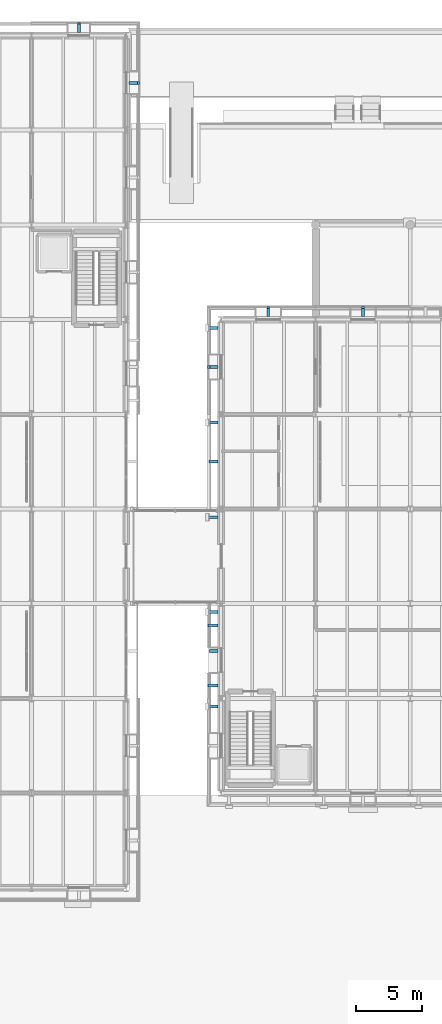
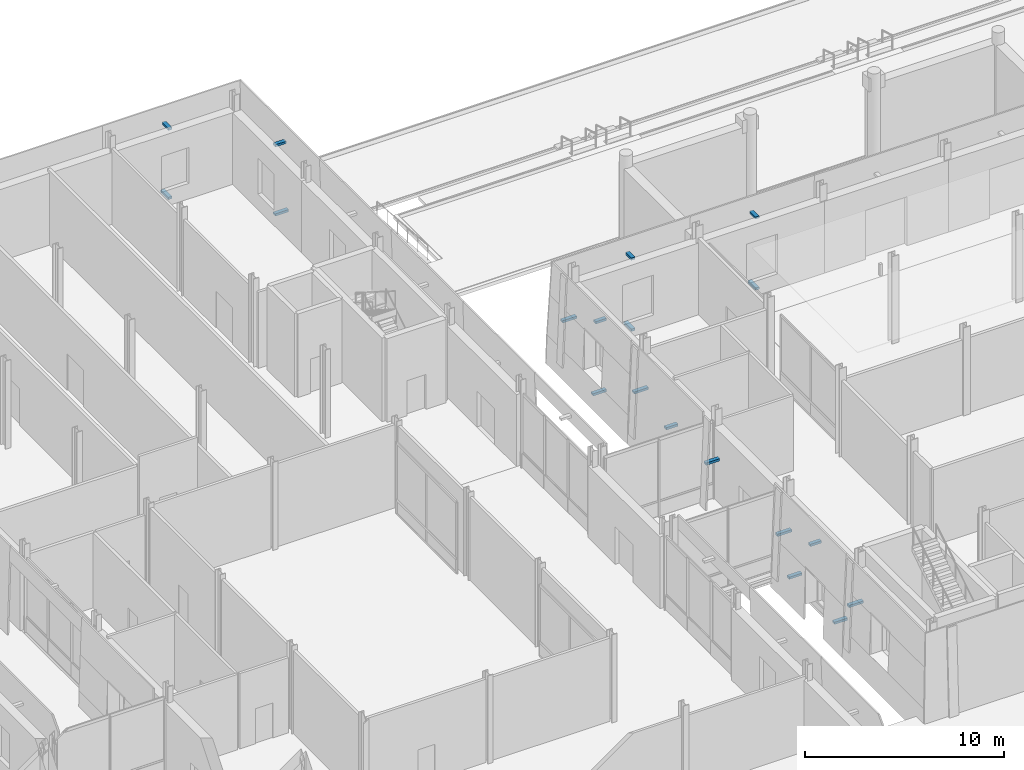
# One storey, part 91 of 120: 19 discrete accessories.
"""IFC4 building model written with IfcOpenShell, lengths in metres."""

from ifc_helpers import new_model, si_unit, direction, frame, origin, origin_2d, place, context, subcontext, project, spatial, rectangle, extrude, material, layer, layer_set, type_object, element, save


model = new_model("IFC4")

# Units and contexts
model_context = context("Model", 3, precision=1e-05, world=origin(), true_north=direction((0.0, 1.0)))
body_context = subcontext(model_context, "Body", "Model", "MODEL_VIEW")
ifc_project = project(units=[si_unit("LENGTHUNIT", "METRE"), si_unit("AREAUNIT", "SQUARE_METRE"), si_unit("VOLUMEUNIT", "CUBIC_METRE"), si_unit("PLANEANGLEUNIT", "RADIAN"), si_unit("MASSUNIT", "GRAM", prefix="KILO")], contexts=[model_context])

# Site, building, storey
site_placement = place(None, origin())
site = spatial("IfcSite", under=ifc_project, at=site_placement, CompositionType="ELEMENT")
building_placement = place(site_placement, origin())
building = spatial("IfcBuilding", under=site, at=building_placement, Name="Narikvali Park Central Library", CompositionType="ELEMENT")
storey_placement = place(building_placement, origin())
storey = spatial("IfcBuildingStorey", under=building, at=storey_placement, Name="L00", CompositionType="ELEMENT", Elevation=0.0)

# Discrete accessories
ifc_material = material(Name="Brushed Stainless Steel S355", Category="steel")
ifc_layer = layer(ifc_material, 0.139892578125, Name="Brushed Stainless Steel S355")
ifc_layer_set = layer_set([ifc_layer], Name="Brushed Stainless Steel S355")
discrete_accessory_type = type_object("IfcDiscreteAccessoryType", Name="Cladding Stainless Tie-Back Corbel Bracket", PredefinedType="BRACKET", material=ifc_layer_set)
discrete_accessory_1_placement = place(storey_placement, frame((75.60009765625, 94.2158203125, -0.06005859375), z_axis=(0.0, 0.0, 1.0), x_axis=(1.0, 0.0, 0.0)))
element("IfcDiscreteAccessory", 1, at=discrete_accessory_1_placement, inside=storey, type_object=discrete_accessory_type, Name="Limestone Cladding Tie-Back Bracket V1-CLD-L00-N-B04-SP", PredefinedType="BRACKET", context=body_context, shape_type="SweptSolid", body=[
    extrude(rectangle(XDim=0.219970703125, YDim=0.771484375, at=origin_2d()), origin(), (0.0, 0.0, 1.0), 0.139892578125),
])
discrete_accessory_2_placement = place(storey_placement, frame((75.60009765625, 94.135498046875, 4.30517578125), z_axis=(0.0, 0.0, 1.0), x_axis=(1.0, 0.0, 0.0)))
element("IfcDiscreteAccessory", 2, at=discrete_accessory_2_placement, inside=storey, type_object=discrete_accessory_type, Name="Limestone Cladding Tie-Back Bracket V1-CLD-L00-N-B04-LN", PredefinedType="BRACKET", context=body_context, shape_type="SweptSolid", body=[
    extrude(rectangle(XDim=0.219970703125, YDim=0.61083984375, at=origin_2d()), origin(), (0.0, 0.0, 1.0), 0.139892578125),
])
discrete_accessory_3_placement = place(storey_placement, frame((68.39990234375, 94.2158203125, -0.06005859375), z_axis=(0.0, 0.0, 1.0), x_axis=(1.0, 0.0, 0.0)))
element("IfcDiscreteAccessory", 3, at=discrete_accessory_3_placement, inside=storey, type_object=discrete_accessory_type, Name="Limestone Cladding Tie-Back Bracket V1-CLD-L00-N-B05-SP", PredefinedType="BRACKET", context=body_context, shape_type="SweptSolid", body=[
    extrude(rectangle(XDim=0.219970703125, YDim=0.771484375, at=origin_2d()), origin(), (0.0, 0.0, 1.0), 0.139892578125),
])
discrete_accessory_4_placement = place(storey_placement, frame((68.39990234375, 94.135498046875, 4.30517578125), z_axis=(0.0, 0.0, 1.0), x_axis=(1.0, 0.0, 0.0)))
element("IfcDiscreteAccessory", 4, at=discrete_accessory_4_placement, inside=storey, type_object=discrete_accessory_type, Name="Limestone Cladding Tie-Back Bracket V1-CLD-L00-N-B05-LN", PredefinedType="BRACKET", context=body_context, shape_type="SweptSolid", body=[
    extrude(rectangle(XDim=0.219970703125, YDim=0.61083984375, at=origin_2d()), origin(), (0.0, 0.0, 1.0), 0.139892578125),
])
discrete_accessory_5_placement = place(storey_placement, frame((64.16015625, 92.97509765625, 2.6298828125), z_axis=(0.0, 0.0, 1.0), x_axis=(1.0, 0.0, 0.0)))
element("IfcDiscreteAccessory", 5, at=discrete_accessory_5_placement, inside=storey, type_object=discrete_accessory_type, Name="Limestone Cladding Tie-Back Bracket V1-PIL-L00-W-B01", PredefinedType="BRACKET", context=body_context, shape_type="SweptSolid", body=[
    extrude(rectangle(XDim=0.819580078125, YDim=0.219970703125, at=origin_2d()), origin(), (0.0, 0.0, 1.0), 0.139892578125),
])
discrete_accessory_6_placement = place(storey_placement, frame((64.18408203125, 90.0, -0.06005859375), z_axis=(0.0, 0.0, 1.0), x_axis=(1.0, 0.0, 0.0)))
element("IfcDiscreteAccessory", 6, at=discrete_accessory_6_placement, inside=storey, type_object=discrete_accessory_type, Name="Limestone Cladding Tie-Back Bracket V1-CLD-L00-W-B01-SP", PredefinedType="BRACKET", context=body_context, shape_type="SweptSolid", body=[
    extrude(rectangle(XDim=0.771484375, YDim=0.219970703125, at=origin_2d()), origin(), (0.0, 0.0, 1.0), 0.139892578125),
])
discrete_accessory_7_placement = place(storey_placement, frame((64.264404296875, 90.0, 4.30517578125), z_axis=(0.0, 0.0, 1.0), x_axis=(1.0, 0.0, 0.0)))
element("IfcDiscreteAccessory", 7, at=discrete_accessory_7_placement, inside=storey, type_object=discrete_accessory_type, Name="Limestone Cladding Tie-Back Bracket V1-CLD-L00-W-B01-LN", PredefinedType="BRACKET", context=body_context, shape_type="SweptSolid", body=[
    extrude(rectangle(XDim=0.61083984375, YDim=0.219970703125, at=origin_2d()), origin(), (0.0, 0.0, 1.0), 0.139892578125),
])
discrete_accessory_8_placement = place(storey_placement, frame((64.16015625, 85.77490234375, 2.6298828125), z_axis=(0.0, 0.0, 1.0), x_axis=(1.0, 0.0, 0.0)))
element("IfcDiscreteAccessory", 8, at=discrete_accessory_8_placement, inside=storey, type_object=discrete_accessory_type, Name="Limestone Cladding Tie-Back Bracket V1-PIL-L00-W-B02", PredefinedType="BRACKET", context=body_context, shape_type="SweptSolid", body=[
    extrude(rectangle(XDim=0.819580078125, YDim=0.219970703125, at=origin_2d()), origin(), (0.0, 0.0, 1.0), 0.139892578125),
])
discrete_accessory_9_placement = place(storey_placement, frame((64.230224609375, 82.800048828125, 2.18994140625), z_axis=(0.0, 0.0, 1.0), x_axis=(1.0, 0.0, 0.0)))
element("IfcDiscreteAccessory", 9, at=discrete_accessory_9_placement, inside=storey, type_object=discrete_accessory_type, Name="Limestone Cladding Tie-Back Bracket V1-CLD-L00-W-B02-FULL", PredefinedType="BRACKET", context=body_context, shape_type="SweptSolid", body=[
    extrude(rectangle(XDim=0.679443359375, YDim=0.219970703125, at=origin_2d()), origin(), (0.0, 0.0, 1.0), 0.139892578125),
])
for number, where, z_axis, x_axis, name in (
    (10, (64.16015625, 78.574951171875, 2.6298828125), (0.0, 0.0, 1.0), (1.0, 0.0, 0.0), "Limestone Cladding Tie-Back Bracket V1-PIL-L00-W-B03"),
    (11, (64.16015625, 71.375, 2.6298828125), (0.0, 0.0, 1.0), (1.0, 0.0, 0.0), "Limestone Cladding Tie-Back Bracket V1-PIL-L00-W-B04"),
):
    element("IfcDiscreteAccessory", number, at=place(storey_placement, frame(where, z_axis=z_axis, x_axis=x_axis)), inside=storey, type_object=discrete_accessory_type, Name=name, PredefinedType="BRACKET", context=body_context, shape_type="SweptSolid", body=[
        extrude(rectangle(XDim=0.819580078125, YDim=0.219970703125, at=origin_2d()), origin(), (0.0, 0.0, 1.0), 0.139892578125),
    ])
for number, where, z_axis, x_axis, name in (
    (12, (64.197998046875, 70.330078125, 0.60986328125), (0.0, 0.0, 1.0), (1.0, 0.0, 0.0), "Limestone Cladding Tie-Back Bracket V1-CLD-L00-W-B04-DL"),
    (13, (64.197998046875, 65.77001953125, 0.60986328125), (0.0, 0.0, 1.0), (1.0, 0.0, 0.0), "Limestone Cladding Tie-Back Bracket V1-CLD-L00-W-B04-DR"),
):
    element("IfcDiscreteAccessory", number, at=place(storey_placement, frame(where, z_axis=z_axis, x_axis=x_axis)), inside=storey, type_object=discrete_accessory_type, Name=name, PredefinedType="BRACKET", context=body_context, shape_type="SweptSolid", body=[
        extrude(rectangle(XDim=0.744140625, YDim=0.219970703125, at=origin_2d()), origin(), (0.0, 0.0, 1.0), 0.139892578125),
    ])
discrete_accessory_10_placement = place(storey_placement, frame((64.253173828125, 68.39990234375, 3.75), z_axis=(0.0, 0.0, 1.0), x_axis=(1.0, 0.0, 0.0)))
element("IfcDiscreteAccessory", 14, at=discrete_accessory_10_placement, inside=storey, type_object=discrete_accessory_type, Name="Limestone Cladding Tie-Back Bracket V1-CLD-L00-W-B04-DH", PredefinedType="BRACKET", context=body_context, shape_type="SweptSolid", body=[
    extrude(rectangle(XDim=0.6337890625, YDim=0.219970703125, at=origin_2d()), origin(), (0.0, 0.0, 1.0), 0.139892578125),
])
discrete_accessory_11_placement = place(storey_placement, frame((64.16015625, 64.175048828125, 2.6298828125), z_axis=(0.0, 0.0, 1.0), x_axis=(1.0, 0.0, 0.0)))
element("IfcDiscreteAccessory", 15, at=discrete_accessory_11_placement, inside=storey, type_object=discrete_accessory_type, Name="Limestone Cladding Tie-Back Bracket V1-PIL-L00-W-B05", PredefinedType="BRACKET", context=body_context, shape_type="SweptSolid", body=[
    extrude(rectangle(XDim=0.819580078125, YDim=0.219970703125, at=origin_2d()), origin(), (0.0, 0.0, 1.0), 0.139892578125),
])
discrete_accessory_12_placement = place(storey_placement, frame((58.217041015625, 111.60009765625, -0.03515625), z_axis=(0.0, 0.0, 1.0), x_axis=(1.0, 0.0, 0.0)))
element("IfcDiscreteAccessory", 16, at=discrete_accessory_12_placement, inside=storey, type_object=discrete_accessory_type, Name="Limestone Cladding Tie-Back Bracket V4-CLD-L00-E-B09-SP", PredefinedType="BRACKET", context=body_context, shape_type="SweptSolid", body=[
    extrude(rectangle(XDim=0.77392578125, YDim=0.219970703125, at=origin_2d()), origin(), (0.0, 0.0, 1.0), 0.139892578125),
])
discrete_accessory_13_placement = place(storey_placement, frame((58.153076171875, 111.60009765625, 4.205078125), z_axis=(0.0, 0.0, 1.0), x_axis=(1.0, 0.0, 0.0)))
element("IfcDiscreteAccessory", 17, at=discrete_accessory_13_placement, inside=storey, type_object=discrete_accessory_type, Name="Limestone Cladding Tie-Back Bracket V4-CLD-L00-E-B09-LN", PredefinedType="BRACKET", context=body_context, shape_type="SweptSolid", body=[
    extrude(rectangle(XDim=0.64599609375, YDim=0.219970703125, at=origin_2d()), origin(), (0.0, 0.0, 1.0), 0.139892578125),
])
discrete_accessory_14_placement = place(storey_placement, frame((54.0, 115.81689453125, -0.03515625), z_axis=(0.0, 0.0, 1.0), x_axis=(1.0, 0.0, 0.0)))
element("IfcDiscreteAccessory", 18, at=discrete_accessory_14_placement, inside=storey, type_object=discrete_accessory_type, Name="Limestone Cladding Tie-Back Bracket V4-CLD-L00-N-B01-SP", PredefinedType="BRACKET", context=body_context, shape_type="SweptSolid", body=[
    extrude(rectangle(XDim=0.219970703125, YDim=0.77392578125, at=origin_2d()), origin(), (0.0, 0.0, 1.0), 0.139892578125),
])
discrete_accessory_15_placement = place(storey_placement, frame((54.0, 115.7529296875, 4.205078125), z_axis=(0.0, 0.0, 1.0), x_axis=(1.0, 0.0, 0.0)))
element("IfcDiscreteAccessory", 19, at=discrete_accessory_15_placement, inside=storey, type_object=discrete_accessory_type, Name="Limestone Cladding Tie-Back Bracket V4-CLD-L00-N-B01-LN", PredefinedType="BRACKET", context=body_context, shape_type="SweptSolid", body=[
    extrude(rectangle(XDim=0.219970703125, YDim=0.64599609375, at=origin_2d()), origin(), (0.0, 0.0, 1.0), 0.139892578125),
])

save(model, "model.ifc")
